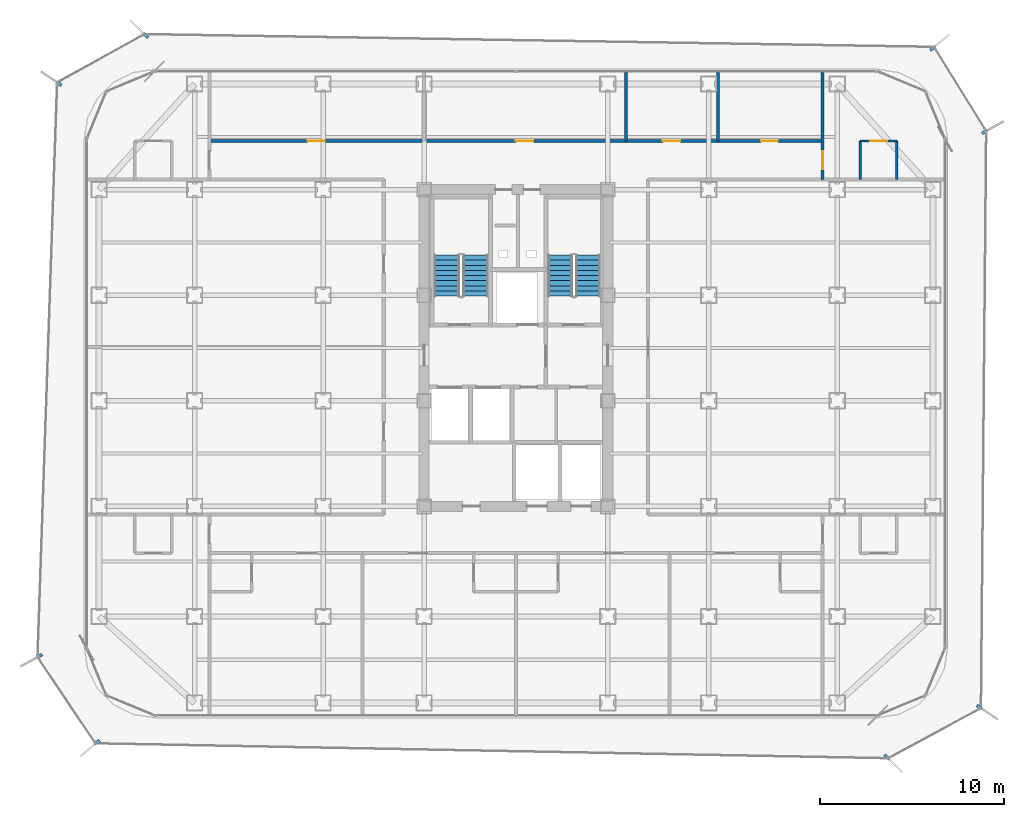
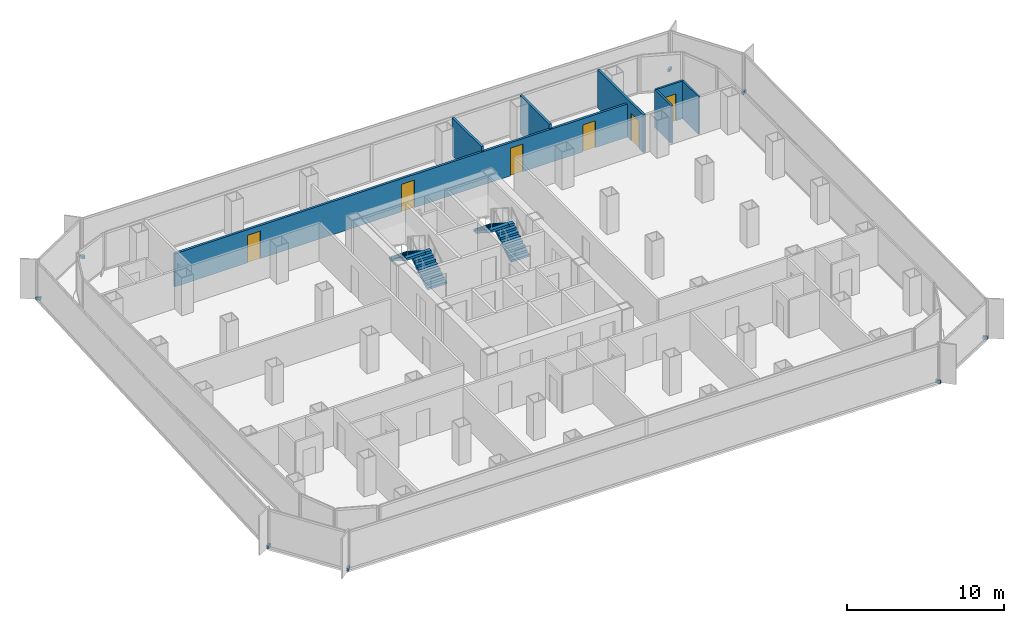
# One storey, part 18 of 21: 8 discrete accessories, 7 walls, 6 doors, 4 stair flights, 6 openings, 2 elements without a shape of their own.
"""IFC4 building model written with IfcOpenShell, lengths in metres."""

from ifc_helpers import new_model, si_unit, direction, frame, frame_2d, origin, origin_2d, place, context, subcontext, project, spatial, polyline, rectangle, outline, extrude, source, transform, mapped, material, layer, layer_set, type_object, element, fill, aggregate, save


model = new_model("IFC4")

# Units and contexts
model_context = context("Model", 3, precision=1e-05, world=origin(), true_north=direction((0.0, 1.0)))
body_context = subcontext(model_context, "Body", "Model", "MODEL_VIEW")
ifc_project = project(units=[si_unit("LENGTHUNIT", "METRE"), si_unit("AREAUNIT", "SQUARE_METRE"), si_unit("VOLUMEUNIT", "CUBIC_METRE"), si_unit("PLANEANGLEUNIT", "RADIAN"), si_unit("MASSUNIT", "GRAM", prefix="KILO")], contexts=[model_context])

# Site, building, storey
site_placement = place(None, origin())
site = spatial("IfcSite", under=ifc_project, at=site_placement, CompositionType="ELEMENT")
building_placement = place(site_placement, origin())
building = spatial("IfcBuilding", under=site, at=building_placement, Name="Kolveth Station Tower", CompositionType="ELEMENT")
storey_placement = place(building_placement, frame((0.0, 0.0, 95.89990234375)))
storey = spatial("IfcBuildingStorey", under=building, at=storey_placement, Name="L25", CompositionType="ELEMENT", Elevation=95.89990234375)

# Walls
ifc_material_1 = material(Name="Moisture-resistant gypsum partition")
ifc_layer_1 = layer(ifc_material_1, 0.135009765625)
ifc_layer_set_1 = layer_set([ifc_layer_1], Name="Moisture-resistant gypsum partition")
wall_type_1 = type_object("IfcWallType", Name="Wall_IW-135", PredefinedType="PARTITIONING", material=ifc_layer_set_1)
for number, where, z_axis, x_axis, name in (
    (1, (42.25, 29.300048828125, 0.0), (0.0, 0.0, 1.0), (0.0, 1.0, 0.0), "L25 Partition Wall WL-L25-ES2-BV1"),
    (2, (44.25, 29.300048828125, 0.0), (0.0, 0.0, 1.0), (0.0, 1.0, 0.0), "L25 Partition Wall WL-L25-ES2-BV2"),
):
    element("IfcWall", number, at=place(storey_placement, frame(where, z_axis=z_axis, x_axis=x_axis)), inside=storey, type_object=wall_type_1, Name=name, PredefinedType="PARTITIONING", context=body_context, shape_type="SweptSolid", body=[
        extrude(rectangle(XDim=2.099853515625, YDim=0.135009765625, at=frame_2d((1.0498046875, 0.0))), origin(), (0.0, 0.0, 1.0), 2.9501953125),
    ])

# Wall, opening, door
wall_1_placement = place(storey_placement, frame((42.25, 31.39990234375, 0.0), z_axis=(0.0, 0.0, 1.0), x_axis=(1.0, 0.0, 0.0)))
wall_1 = element("IfcWall", 3, at=wall_1_placement, inside=storey, type_object=wall_type_1, Name="L25 Partition Wall WL-L25-ES2-BH", PredefinedType="PARTITIONING", context=body_context, shape_type="SweptSolid", body=[
    extrude(rectangle(XDim=2.0, YDim=0.135009765625, at=frame_2d((1.0, 0.0))), origin(), (0.0, 0.0, 1.0), 2.9501953125),
])
opening_1_placement = place(wall_1_placement, frame((0.5400390625, 0.0, 0.0)))
opening_1 = element("IfcOpeningElement", 4, at=opening_1_placement, cuts=wall_1, Name="Opening ID2", PredefinedType="OPENING", context=body_context, shape_type="SweptSolid", body=[
    extrude(rectangle(XDim=0.919921875, YDim=2.10009765625, at=frame_2d((0.4599609375, 1.050048828125))), frame((0.0, 0.077392578125, 0.0), z_axis=(0.0, -1.0, 0.0), x_axis=(1.0, 0.0, 0.0)), (0.0, 0.0, 1.0), 0.155029296875),
])
ifc_material_2 = material(Name="Moisture-resistant hardwood leaf", Category="wood")
door_type_1 = type_object("IfcDoorType", Name="Door_ID2", OperationType="NOTDEFINED", PredefinedType="DOOR", material=ifc_material_2)
door_1_placement = place(opening_1_placement, frame((0.919921875, 0.0, 0.0), z_axis=(0.0, 0.0, 1.0), x_axis=(-1.0, 0.0, 0.0)))
door_1 = element("IfcDoor", 5, at=door_1_placement, inside=storey, type_object=door_type_1, Name="L25 Hotel Guest Room ES2 En-Suite Door", OperationType="SINGLE_SWING_RIGHT", OverallHeight=2.10009765625, OverallWidth=0.919921875, PredefinedType="DOOR", context=body_context, shape_type="SweptSolid", body=[
    extrude(rectangle(XDim=0.919921875, YDim=2.10009765625, at=frame_2d((0.4599609375, 1.050048828125))), frame((0.0, 0.02490234375, 0.0), z_axis=(0.0, -1.0, 0.0), x_axis=(1.0, 0.0, 0.0)), (0.0, 0.0, 1.0), 0.050048828125),
])
fill(opening_1, door_1)

# Wall, openings, doors
ifc_material_3 = material(Name="Acoustic double-stud gypsum partition")
ifc_layer_2 = layer(ifc_material_3, 0.1650390625)
ifc_layer_set_2 = layer_set([ifc_layer_2], Name="Acoustic double-stud gypsum partition")
wall_type_2 = type_object("IfcWallType", Name="Wall_IW-165", PredefinedType="PARTITIONING", material=ifc_layer_set_2)
wall_2_placement = place(storey_placement, frame((6.800048828125, 31.39990234375, 0.0), z_axis=(0.0, 0.0, 1.0), x_axis=(1.0, 0.0, 0.0)))
wall_2 = element("IfcWall", 6, at=wall_2_placement, inside=storey, type_object=wall_type_2, Name="L25 Partition Wall WL-L25-HN", PredefinedType="PARTITIONING", context=body_context, shape_type="SweptSolid", body=[
    extrude(rectangle(XDim=33.39990234375, YDim=0.1650390625, at=frame_2d((16.699951171875, 0.0))), origin(), (0.0, 0.0, 1.0), 2.5830078125),
])
opening_2_placement = place(wall_2_placement, frame((5.35009765625, 0.0, 0.0)))
opening_2 = element("IfcOpeningElement", 7, at=opening_2_placement, cuts=wall_2, Name="Opening ID1", PredefinedType="OPENING", context=body_context, shape_type="SweptSolid", body=[
    extrude(rectangle(XDim=0.949951171875, YDim=2.14990234375, at=frame_2d((0.47509765625, 1.074951171875))), frame((0.0, 0.092529296875, 0.0), z_axis=(0.0, -1.0, 0.0), x_axis=(1.0, 0.0, 0.0)), (0.0, 0.0, 1.0), 0.18505859375),
])
opening_3_placement = place(wall_2_placement, frame((16.699951171875, 0.0, 0.0)))
opening_3 = element("IfcOpeningElement", 8, at=opening_3_placement, cuts=wall_2, Name="Opening ID1", PredefinedType="OPENING", context=body_context, shape_type="SweptSolid", body=[
    extrude(rectangle(XDim=0.949951171875, YDim=2.14990234375, at=frame_2d((0.47509765625, 1.074951171875))), frame((0.0, 0.092529296875, 0.0), z_axis=(0.0, -1.0, 0.0), x_axis=(1.0, 0.0, 0.0)), (0.0, 0.0, 1.0), 0.18505859375),
])
opening_4_placement = place(wall_2_placement, frame((24.699951171875, 0.0, 0.0)))
opening_4 = element("IfcOpeningElement", 9, at=opening_4_placement, cuts=wall_2, Name="Opening ID1", PredefinedType="OPENING", context=body_context, shape_type="SweptSolid", body=[
    extrude(rectangle(XDim=0.949951171875, YDim=2.14990234375, at=frame_2d((0.47509765625, 1.074951171875))), frame((0.0, 0.092529296875, 0.0), z_axis=(0.0, -1.0, 0.0), x_axis=(1.0, 0.0, 0.0)), (0.0, 0.0, 1.0), 0.18505859375),
])
opening_5_placement = place(wall_2_placement, frame((30.050048828125, 0.0, 0.0)))
opening_5 = element("IfcOpeningElement", 10, at=opening_5_placement, cuts=wall_2, Name="Opening ID2", PredefinedType="OPENING", context=body_context, shape_type="SweptSolid", body=[
    extrude(rectangle(XDim=0.919921875, YDim=2.10009765625, at=frame_2d((0.4599609375, 1.050048828125))), frame((0.0, 0.092529296875, 0.0), z_axis=(0.0, -1.0, 0.0), x_axis=(1.0, 0.0, 0.0)), (0.0, 0.0, 1.0), 0.18505859375),
])
ifc_material_4 = material(Name="Acoustic hardwood leaf and aluminium frame", Category="wood")
door_type_2 = type_object("IfcDoorType", Name="Door_ID1", OperationType="NOTDEFINED", PredefinedType="DOOR", material=ifc_material_4)
door_2_placement = place(opening_2_placement, origin())
door_2 = element("IfcDoor", 11, at=door_2_placement, inside=storey, type_object=door_type_2, Name="L25 Floor Service Pantry Door", OperationType="SINGLE_SWING_RIGHT", OverallHeight=2.14990234375, OverallWidth=0.949951171875, PredefinedType="DOOR", context=body_context, shape_type="SweptSolid", body=[
    extrude(rectangle(XDim=0.949951171875, YDim=2.14990234375, at=frame_2d((0.47509765625, 1.074951171875))), frame((0.0, 0.02490234375, 0.0), z_axis=(0.0, -1.0, 0.0), x_axis=(1.0, 0.0, 0.0)), (0.0, 0.0, 1.0), 0.050048828125),
])
fill(opening_2, door_2)
door_3_placement = place(opening_3_placement, origin())
door_3 = element("IfcDoor", 12, at=door_3_placement, inside=storey, type_object=door_type_2, Name="L25 Guest Business Study Door", OperationType="SINGLE_SWING_LEFT", OverallHeight=2.14990234375, OverallWidth=0.949951171875, PredefinedType="DOOR", context=body_context, shape_type="SweptSolid", body=[
    extrude(rectangle(XDim=0.949951171875, YDim=2.14990234375, at=frame_2d((0.47509765625, 1.074951171875))), frame((0.0, 0.02490234375, 0.0), z_axis=(0.0, -1.0, 0.0), x_axis=(1.0, 0.0, 0.0)), (0.0, 0.0, 1.0), 0.050048828125),
])
fill(opening_3, door_3)
door_4_placement = place(opening_4_placement, origin())
door_4 = element("IfcDoor", 13, at=door_4_placement, inside=storey, type_object=door_type_2, Name="L25 Valet Linen Store Door", OperationType="SINGLE_SWING_LEFT", OverallHeight=2.14990234375, OverallWidth=0.949951171875, PredefinedType="DOOR", context=body_context, shape_type="SweptSolid", body=[
    extrude(rectangle(XDim=0.949951171875, YDim=2.14990234375, at=frame_2d((0.47509765625, 1.074951171875))), frame((0.0, 0.02490234375, 0.0), z_axis=(0.0, -1.0, 0.0), x_axis=(1.0, 0.0, 0.0)), (0.0, 0.0, 1.0), 0.050048828125),
])
fill(opening_4, door_4)
door_5_placement = place(opening_5_placement, origin())
door_5 = element("IfcDoor", 14, at=door_5_placement, inside=storey, type_object=door_type_1, Name="L25 Accessible Guest WC Door", OperationType="SINGLE_SWING_LEFT", OverallHeight=2.10009765625, OverallWidth=0.919921875, PredefinedType="DOOR", context=body_context, shape_type="SweptSolid", body=[
    extrude(rectangle(XDim=0.919921875, YDim=2.10009765625, at=frame_2d((0.4599609375, 1.050048828125))), frame((0.0, 0.02490234375, 0.0), z_axis=(0.0, -1.0, 0.0), x_axis=(1.0, 0.0, 0.0)), (0.0, 0.0, 1.0), 0.050048828125),
])
fill(opening_5, door_5)

# Wall, opening, door
wall_3_placement = place(storey_placement, frame((40.199951171875, 29.300048828125, 0.0), z_axis=(0.0, 0.0, 1.0), x_axis=(0.0, 1.0, 0.0)))
wall_3 = element("IfcWall", 15, at=wall_3_placement, inside=storey, type_object=wall_type_2, Name="L25 Partition Wall WL-L25-END-EN", PredefinedType="PARTITIONING", context=body_context, shape_type="SweptSolid", body=[
    extrude(rectangle(XDim=5.83984375, YDim=0.1650390625, at=frame_2d((2.919921875, 0.0))), origin(), (0.0, 0.0, 1.0), 2.9501953125),
])
opening_6_placement = place(wall_3_placement, frame((0.550048828125, 0.0, 0.0)))
opening_6 = element("IfcOpeningElement", 16, at=opening_6_placement, cuts=wall_3, Name="Opening FD3", PredefinedType="OPENING", context=body_context, shape_type="SweptSolid", body=[
    extrude(rectangle(XDim=1.0, YDim=2.14990234375, at=frame_2d((0.5, 1.074951171875))), frame((0.0, 0.092529296875, 0.0), z_axis=(0.0, -1.0, 0.0), x_axis=(1.0, 0.0, 0.0)), (0.0, 0.0, 1.0), 0.18505859375),
])
ifc_material_5 = material(Name="Fire-rated hardwood leaf and aluminium frame", Category="wood")
door_type_3 = type_object("IfcDoorType", Name="Door_FD3", OperationType="NOTDEFINED", PredefinedType="DOOR", material=ifc_material_5)
door_6_placement = place(opening_6_placement, frame((1.0, 0.0, 0.0), z_axis=(0.0, 0.0, 1.0), x_axis=(-1.0, 0.0, 0.0)))
door_6 = element("IfcDoor", 17, at=door_6_placement, inside=storey, type_object=door_type_3, Name="L25 Hotel Guest Room ES2 Entrance Door", OperationType="SINGLE_SWING_LEFT", OverallHeight=2.14990234375, OverallWidth=1.0, PredefinedType="DOOR", context=body_context, shape_type="SweptSolid", body=[
    extrude(rectangle(XDim=1.0, YDim=2.14990234375, at=frame_2d((0.5, 1.074951171875))), frame((0.0, 0.02490234375, 0.0), z_axis=(0.0, -1.0, 0.0), x_axis=(1.0, 0.0, 0.0)), (0.0, 0.0, 1.0), 0.050048828125),
])
fill(opening_6, door_6)

# Walls
for number, where, z_axis, x_axis, name in (
    (18, (29.5, 31.39990234375, 0.0), (0.0, 0.0, 1.0), (0.0, 1.0, 0.0), "L25 Partition Wall WL-L25-HN-P2"),
    (19, (34.5, 31.39990234375, 0.0), (0.0, 0.0, 1.0), (0.0, 1.0, 0.0), "L25 Partition Wall WL-L25-HN-P3"),
):
    element("IfcWall", number, at=place(storey_placement, frame(where, z_axis=z_axis, x_axis=x_axis)), inside=storey, type_object=wall_type_2, Name=name, PredefinedType="PARTITIONING", context=body_context, shape_type="SweptSolid", body=[
        extrude(rectangle(XDim=3.739990234375, YDim=0.1650390625, at=frame_2d((1.8701171875, 0.0))), origin(), (0.0, 0.0, 1.0), 2.9501953125),
    ])

# Stair, stair flights
ifc_material_6 = material(Name="Concrete C40/50", Category="concrete")
stair_type_1 = type_object("IfcStairType", Name="Stair_ST1", PredefinedType="HALF_TURN_STAIR", material=ifc_material_6)
stair_1_placement = place(storey_placement, origin())
stair_1 = element("IfcStair", 20, at=stair_1_placement, inside=storey, type_object=stair_type_1, Name="L25 Tower Exit Stair ST1", PredefinedType="HALF_TURN_STAIR")
ifc_layer_3 = layer(ifc_material_6, 0.179931640625)
ifc_layer_set_3 = layer_set([ifc_layer_3], Name="Concrete C40/50")
stair_flight_type_1 = type_object("IfcStairFlightType", Name="Flight_ST1", PredefinedType="STRAIGHT", material=ifc_layer_set_3)
stair_flight_1_placement = place(storey_placement, frame((21.300048828125, 22.949951171875, 0.0), z_axis=(0.0, 0.0, 1.0), x_axis=(0.0, 1.0, 0.0)))
stair_flight_1 = element("IfcStairFlight", 21, at=stair_flight_1_placement, type_object=stair_flight_type_1, Name="ST1 flight 1", NumberOfRisers=9, NumberOfTreads=8, PredefinedType="STRAIGHT", RiserHeight=0.177777778, TreadLength=0.28, context=body_context, shape_type="SweptSolid", body=[
    extrude(outline(polyline([(0.0, 0.0), (0.0, 0.177734375), (0.280029296875, 0.177734375), (0.280029296875, 0.35546875), (0.56005859375, 0.35546875), (0.56005859375, 0.533447265625), (0.840087890625, 0.533447265625), (0.840087890625, 0.711181640625), (1.1201171875, 0.711181640625), (1.1201171875, 0.888916015625), (1.39990234375, 0.888916015625), (1.39990234375, 1.066650390625), (1.679931640625, 1.066650390625), (1.679931640625, 1.244384765625), (1.9599609375, 1.244384765625), (1.9599609375, 1.422119140625), (2.239990234375, 1.422119140625), (2.239990234375, 1.60009765625), (2.239990234375, 1.24462890625), (0.27978515625, 0.0), (0.0, 0.0)])), frame((0.0, 0.699951171875, 0.0), z_axis=(0.0, -1.0, 0.0), x_axis=(1.0, 0.0, 0.0)), (0.0, 0.0, 1.0), 1.39990234375),
])
stair_flight_2_placement = place(storey_placement, frame((19.739990234375, 25.18994140625, 1.60009765625), z_axis=(0.0, 0.0, 1.0), x_axis=(0.0, -1.0, 0.0)))
stair_flight_2 = element("IfcStairFlight", 22, at=stair_flight_2_placement, type_object=stair_flight_type_1, Name="ST1 flight 2", NumberOfRisers=9, NumberOfTreads=8, PredefinedType="STRAIGHT", RiserHeight=0.177777778, TreadLength=0.28, context=body_context, shape_type="SweptSolid", body=[
    extrude(outline(polyline([(0.0, 0.0), (0.0, 0.177734375), (0.280029296875, 0.177734375), (0.280029296875, 0.35546875), (0.56005859375, 0.35546875), (0.56005859375, 0.533447265625), (0.840087890625, 0.533447265625), (0.840087890625, 0.711181640625), (1.1201171875, 0.711181640625), (1.1201171875, 0.888916015625), (1.39990234375, 0.888916015625), (1.39990234375, 1.066650390625), (1.679931640625, 1.066650390625), (1.679931640625, 1.244384765625), (1.9599609375, 1.244384765625), (1.9599609375, 1.422119140625), (2.239990234375, 1.422119140625), (2.239990234375, 1.60009765625), (2.239990234375, 1.24462890625), (0.27978515625, 0.0), (0.0, 0.0)])), frame((0.0, 0.699951171875, 0.0), z_axis=(0.0, -1.0, 0.0), x_axis=(1.0, 0.0, 0.0)), (0.0, 0.0, 1.0), 1.39990234375),
])
aggregate(stair_1, [stair_flight_1, stair_flight_2])

stair_type_2 = type_object("IfcStairType", Name="Stair_ST2", PredefinedType="HALF_TURN_STAIR", material=ifc_material_6)
stair_2_placement = place(storey_placement, origin())
stair_2 = element("IfcStair", 23, at=stair_2_placement, inside=storey, type_object=stair_type_2, Name="L25 Tower Exit Stair ST2", PredefinedType="HALF_TURN_STAIR")
ifc_layer_4 = layer(ifc_material_6, 0.179931640625)
ifc_layer_set_4 = layer_set([ifc_layer_4], Name="Concrete C40/50")
stair_flight_type_2 = type_object("IfcStairFlightType", Name="Flight_ST2", PredefinedType="STRAIGHT", material=ifc_layer_set_4)
stair_flight_3_placement = place(storey_placement, frame((27.425048828125, 22.949951171875, 0.0), z_axis=(0.0, 0.0, 1.0), x_axis=(0.0, 1.0, 0.0)))
stair_flight_3 = element("IfcStairFlight", 24, at=stair_flight_3_placement, type_object=stair_flight_type_2, Name="ST2 flight 1", NumberOfRisers=9, NumberOfTreads=8, PredefinedType="STRAIGHT", RiserHeight=0.177777778, TreadLength=0.28, context=body_context, shape_type="SweptSolid", body=[
    extrude(outline(polyline([(0.0, 0.0), (0.0, 0.177734375), (0.280029296875, 0.177734375), (0.280029296875, 0.35546875), (0.56005859375, 0.35546875), (0.56005859375, 0.533447265625), (0.840087890625, 0.533447265625), (0.840087890625, 0.711181640625), (1.1201171875, 0.711181640625), (1.1201171875, 0.888916015625), (1.39990234375, 0.888916015625), (1.39990234375, 1.066650390625), (1.679931640625, 1.066650390625), (1.679931640625, 1.244384765625), (1.9599609375, 1.244384765625), (1.9599609375, 1.422119140625), (2.239990234375, 1.422119140625), (2.239990234375, 1.60009765625), (2.239990234375, 1.24462890625), (0.27978515625, 0.0), (0.0, 0.0)])), frame((0.0, 0.675048828125, 0.0), z_axis=(0.0, -1.0, 0.0), x_axis=(1.0, 0.0, 0.0)), (0.0, 0.0, 1.0), 1.35009765625),
])
stair_flight_4_placement = place(storey_placement, frame((25.9150390625, 25.18994140625, 1.60009765625), z_axis=(0.0, 0.0, 1.0), x_axis=(0.0, -1.0, 0.0)))
stair_flight_4 = element("IfcStairFlight", 25, at=stair_flight_4_placement, type_object=stair_flight_type_2, Name="ST2 flight 2", NumberOfRisers=9, NumberOfTreads=8, PredefinedType="STRAIGHT", RiserHeight=0.177777778, TreadLength=0.28, context=body_context, shape_type="SweptSolid", body=[
    extrude(outline(polyline([(0.0, 0.0), (0.0, 0.177734375), (0.280029296875, 0.177734375), (0.280029296875, 0.35546875), (0.56005859375, 0.35546875), (0.56005859375, 0.533447265625), (0.840087890625, 0.533447265625), (0.840087890625, 0.711181640625), (1.1201171875, 0.711181640625), (1.1201171875, 0.888916015625), (1.39990234375, 0.888916015625), (1.39990234375, 1.066650390625), (1.679931640625, 1.066650390625), (1.679931640625, 1.244384765625), (1.9599609375, 1.244384765625), (1.9599609375, 1.422119140625), (2.239990234375, 1.422119140625), (2.239990234375, 1.60009765625), (2.239990234375, 1.24462890625), (0.27978515625, 0.0), (0.0, 0.0)])), frame((0.0, 0.675048828125, 0.0), z_axis=(0.0, -1.0, 0.0), x_axis=(1.0, 0.0, 0.0)), (0.0, 0.0, 1.0), 1.35009765625),
])
aggregate(stair_2, [stair_flight_3, stair_flight_4])

# Discrete accessories
ifc_material_7 = material(Name="Steel S355", Category="steel")
discrete_accessory_type = type_object("IfcDiscreteAccessoryType", Name="Bracket_BK1", PredefinedType="BRACKET", material=ifc_material_7)
shared_shape = source(origin(), body_context, "Body", "SweptSolid", [
    extrude(rectangle(XDim=0.35009765625, YDim=0.159912109375, at=origin_2d()), origin(), (0.0, 0.0, 1.0), 0.219970703125),
])
for number, where, z_axis, x_axis, name in (
    (26, (43.700927734375, -2.154052734375, -0.06005859375), (0.0, 0.0, 1.0), (0.714106238843, -0.700037341608, 0.0), "L25 Double-Skin Radial Tie Bracket 1"),
    (27, (48.75, 0.56689453125, -0.06005859375), (0.0, 0.0, 1.0), (0.828255984098, -0.560349912828, 0.0), "L25 Double-Skin Radial Tie Bracket 2"),
    (28, (49.031005859375, 31.89794921875, -0.06005859375), (0.0, 0.0, 1.0), (0.87326245481, 0.487250125725, 0.0), "L25 Double-Skin Radial Tie Bracket 3"),
    (29, (46.199951171875, 36.452880859375, -0.06005859375), (0.0, 0.0, 1.0), (0.770068049148, 0.637961754089, 0.0), "L25 Double-Skin Radial Tie Bracket 4"),
    (30, (3.337890625, 37.139892578125, -0.06005859375), (0.0, 0.0, 1.0), (-0.718975979477, 0.695034920658, 0.0), "L25 Double-Skin Radial Tie Bracket 5"),
    (31, (-1.39599609375, 34.529052734375, -0.06005859375), (0.0, 0.0, 1.0), (-0.827668733006, 0.561216953062, 0.0), "L25 Double-Skin Radial Tie Bracket 6"),
    (32, (-2.458984375, 3.347900390625, -0.06005859375), (0.0, 0.0, 1.0), (-0.875885937035, -0.482518212408, 0.0), "L25 Double-Skin Radial Tie Bracket 7"),
    (33, (0.68798828125, -1.34912109375, -0.06005859375), (0.0, 0.0, 1.0), (-0.76839523211, -0.639975598965, 0.0), "L25 Double-Skin Radial Tie Bracket 8"),
):
    element("IfcDiscreteAccessory", number, at=place(storey_placement, frame(where, z_axis=z_axis, x_axis=x_axis)), inside=storey, type_object=discrete_accessory_type, Name=name, PredefinedType="BRACKET", context=body_context, shape_type="MappedRepresentation", body=[
        mapped(shared_shape, transform((0.0, 0.0, 0.0), x_axis=(1.0, 0.0, 0.0), y_axis=(0.0, 1.0, 0.0), z_axis=(0.0, 0.0, 1.0), scale=1.0)),
    ])

save(model, "model.ifc")
